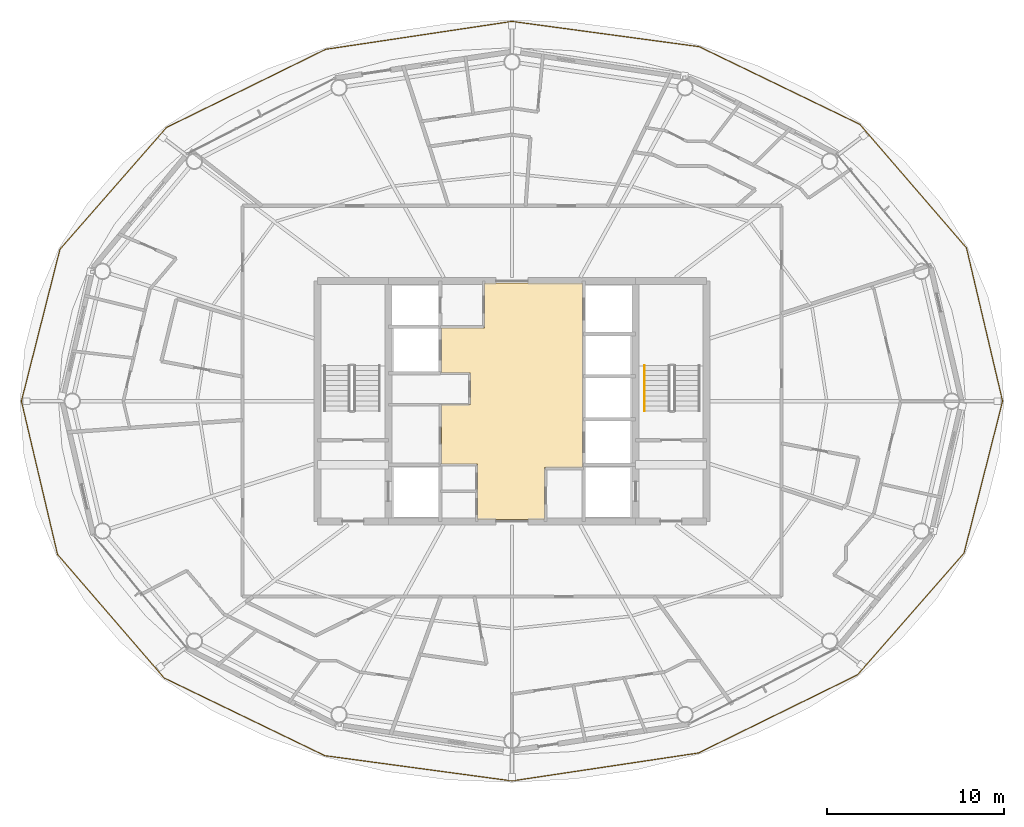
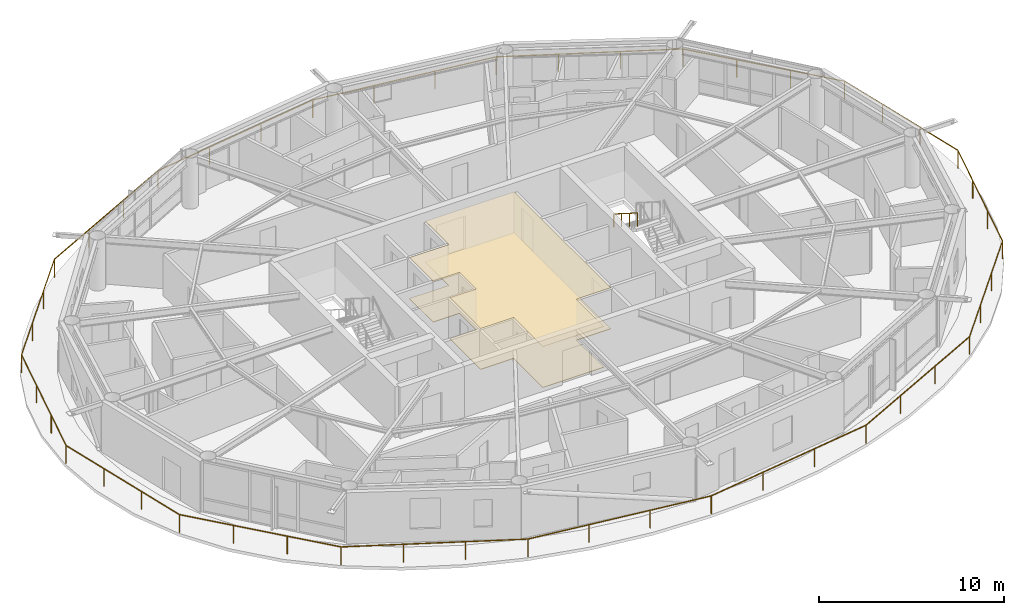
# One storey, part 22 of 23: 2 coverings, 2 railings.
"""IFC4 building model written with IfcOpenShell, lengths in metres."""

from ifc_helpers import new_model, si_unit, direction, frame, origin, origin_2d, place, context, subcontext, project, spatial, polyline, rectangle, outline, extrude, material, layer, layer_set, type_object, element, save


model = new_model("IFC4")

# Units and contexts
model_context = context("Model", 3, precision=1e-05, world=origin(), true_north=direction((0.0, 1.0)))
body_context = subcontext(model_context, "Body", "Model", "MODEL_VIEW")
ifc_project = project(units=[si_unit("LENGTHUNIT", "METRE"), si_unit("AREAUNIT", "SQUARE_METRE"), si_unit("VOLUMEUNIT", "CUBIC_METRE"), si_unit("PLANEANGLEUNIT", "RADIAN"), si_unit("MASSUNIT", "GRAM", prefix="KILO")], contexts=[model_context])

# Site, building, storey
site_placement = place(None, origin())
site = spatial("IfcSite", under=ifc_project, at=site_placement, CompositionType="ELEMENT")
building_placement = place(site_placement, origin())
building = spatial("IfcBuilding", under=site, at=building_placement, Name="Sarneth Arch Tower", CompositionType="ELEMENT")
storey_placement = place(building_placement, frame((0.0, 0.0, 217.199951171875)))
storey = spatial("IfcBuildingStorey", under=building, at=storey_placement, Name="L55", CompositionType="ELEMENT", Elevation=217.199951171875)

# Coverings
ifc_material_1 = material(Name="Perforated acoustic gypsum ceiling board")
ifc_layer_1 = layer(ifc_material_1, 0.02490234375)
ifc_layer_set_1 = layer_set([ifc_layer_1], Name="Perforated acoustic gypsum ceiling board")
covering_type_1 = type_object("IfcCoveringType", Name="COV-CEIL-GYP", PredefinedType="CEILING", material=ifc_layer_set_1)
covering_1_placement = place(storey_placement, frame((0.0, 0.0, 2.68994140625)))
element("IfcCovering", 1, at=covering_1_placement, inside=storey, type_object=covering_type_1, Name="L55 Lift lobby acoustic ceiling", PredefinedType="CEILING", context=body_context, shape_type="SweptSolid", body=[
    extrude(outline(polyline([(49.85009765625, 38.25), (49.85009765625, 35.300048828125), (46.050048828125, 35.300048828125), (46.050048828125, 38.449951171875), (44.0, 38.449951171875), (44.0, 41.800048828125), (45.64990234375, 41.800048828125), (45.64990234375, 43.580078125), (44.0, 43.580078125), (44.0, 46.14990234375), (46.449951171875, 46.14990234375), (46.449951171875, 48.699951171875), (52.0, 48.699951171875), (52.0, 38.25), (49.85009765625, 38.25)])), origin(), (0.0, 0.0, 1.0), 0.030029296875),
])
ifc_material_2 = material(Name="Honed granite stone flooring", Category="masonry")
ifc_layer_2 = layer(ifc_material_2, 0.030029296875)
ifc_layer_set_2 = layer_set([ifc_layer_2], Name="Honed granite stone flooring")
covering_type_2 = type_object("IfcCoveringType", Name="COV-FLR-STONE", PredefinedType="FLOORING", material=ifc_layer_set_2)
covering_2_placement = place(storey_placement, origin())
element("IfcCovering", 2, at=covering_2_placement, inside=storey, type_object=covering_type_2, Name="L55 Lift lobby granite flooring", PredefinedType="FLOORING", context=body_context, shape_type="SweptSolid", body=[
    extrude(outline(polyline([(49.85009765625, 38.25), (49.85009765625, 35.300048828125), (46.050048828125, 35.300048828125), (46.050048828125, 38.449951171875), (44.0, 38.449951171875), (44.0, 41.800048828125), (45.64990234375, 41.800048828125), (45.64990234375, 43.580078125), (44.0, 43.580078125), (44.0, 46.14990234375), (46.449951171875, 46.14990234375), (46.449951171875, 48.699951171875), (52.0, 48.699951171875), (52.0, 38.25), (49.85009765625, 38.25)])), origin(), (0.0, 0.0, 1.0), 0.030029296875),
])

# Railings
ifc_material_3 = material(Name="Laminated structural glass infill with Stainless Steel 316 top rail and posts", Category="steel")
railing_type_1 = type_object("IfcRailingType", Name="RAIL-BALC-1200", PredefinedType="BALUSTRADE", material=ifc_material_3)
railing_1_placement = place(storey_placement, frame((75.76123046875, 42.0, 0.0)))
element("IfcRailing", 3, at=railing_1_placement, inside=storey, type_object=railing_type_1, Name="L55 Helical balcony glass balustrade", PredefinedType="BALUSTRADE", context=body_context, shape_type="SweptSolid", body=[
    extrude(rectangle(XDim=0.048095703125, YDim=0.048095703125, at=origin_2d()), frame((0.0, 0.0, 1.17578125), z_axis=(-0.229379909775, 0.973336969909, 0.0), x_axis=(-0.973336969909, -0.229379909775, 0.0)), (0.0, 0.0, 1.0), 8.90966796875),
    extrude(rectangle(XDim=0.048095703125, YDim=0.048095703125, at=origin_2d()), frame((-2.043701171875, 8.672119140625, 1.17578125), z_axis=(-0.653317036561, 0.757084440297, 0.0), x_axis=(-0.757084440297, -0.653317036561, 0.0)), (0.0, 0.0, 1.0), 9.237060546875),
    extrude(rectangle(XDim=0.048095703125, YDim=0.048095703125, at=origin_2d()), frame((-8.078369140625, 15.665283203125, 1.17578125), z_axis=(-0.900329529862, 0.435208843726, 0.0), x_axis=(-0.435208843726, -0.900329529862, 0.0)), (0.0, 0.0, 1.0), 10.096435546875),
    extrude(rectangle(XDim=0.048095703125, YDim=0.048095703125, at=origin_2d()), frame((-17.16845703125, 20.059326171875, 1.17578125), z_axis=(-0.991008316824, 0.133800283949, 0.0), x_axis=(-0.133800283949, -0.991008316824, 0.0)), (0.0, 0.0, 1.0), 10.68896484375),
    extrude(rectangle(XDim=0.048095703125, YDim=0.048095703125, at=origin_2d()), frame((-27.76123046875, 21.489501953125, 1.17578125), z_axis=(-0.98895733488, -0.148200505352, 0.0), x_axis=(0.148200505352, -0.98895733488, 0.0)), (0.0, 0.0, 1.0), 10.663330078125),
    extrude(rectangle(XDim=0.048095703125, YDim=0.048095703125, at=origin_2d()), frame((-38.306884765625, 19.9091796875, 1.17578125), z_axis=(-0.897612110429, -0.440786228473, 0.0), x_axis=(0.440786228473, -0.897612110429, 0.0)), (0.0, 0.0, 1.0), 10.03076171875),
    extrude(rectangle(XDim=0.048095703125, YDim=0.048095703125, at=origin_2d()), frame((-47.310546875, 15.48779296875, 1.17578125), z_axis=(-0.658502720584, -0.752578346077, 0.0), x_axis=(0.752578346077, -0.658502720584, 0.0)), (0.0, 0.0, 1.0), 9.158203125),
    extrude(rectangle(XDim=0.048095703125, YDim=0.048095703125, at=origin_2d()), frame((-53.34130859375, 8.595458984375, 1.17578125), z_axis=(-0.245960897038, -0.969279751737, 0.0), x_axis=(0.969279751737, -0.245960897038, 0.0)), (0.0, 0.0, 1.0), 8.867919921875),
    extrude(rectangle(XDim=0.048095703125, YDim=0.048095703125, at=origin_2d()), frame((-55.5224609375, 0.0, 1.17578125), z_axis=(0.229379909775, -0.973336969909, 0.0), x_axis=(0.973336969909, 0.229379909775, 0.0)), (0.0, 0.0, 1.0), 8.90966796875),
    extrude(rectangle(XDim=0.048095703125, YDim=0.048095703125, at=origin_2d()), frame((-53.478759765625, -8.672119140625, 1.17578125), z_axis=(0.653317036561, -0.757084440297, 0.0), x_axis=(0.757084440297, 0.653317036561, 0.0)), (0.0, 0.0, 1.0), 9.237060546875),
    extrude(rectangle(XDim=0.048095703125, YDim=0.048095703125, at=origin_2d()), frame((-47.444091796875, -15.665283203125, 1.17578125), z_axis=(0.900329529862, -0.435208843726, 0.0), x_axis=(0.435208843726, 0.900329529862, 0.0)), (0.0, 0.0, 1.0), 10.096435546875),
    extrude(rectangle(XDim=0.048095703125, YDim=0.048095703125, at=origin_2d()), frame((-38.35400390625, -20.059326171875, 1.17578125), z_axis=(0.991008316824, -0.133800283949, 0.0), x_axis=(0.133800283949, 0.991008316824, 0.0)), (0.0, 0.0, 1.0), 10.68896484375),
    extrude(rectangle(XDim=0.048095703125, YDim=0.048095703125, at=origin_2d()), frame((-27.76123046875, -21.489501953125, 1.17578125), z_axis=(0.98895733488, 0.148200505352, 0.0), x_axis=(-0.148200505352, 0.98895733488, 0.0)), (0.0, 0.0, 1.0), 10.663330078125),
    extrude(rectangle(XDim=0.048095703125, YDim=0.048095703125, at=origin_2d()), frame((-17.215576171875, -19.9091796875, 1.17578125), z_axis=(0.897612110429, 0.440786228473, 0.0), x_axis=(-0.440786228473, 0.897612110429, 0.0)), (0.0, 0.0, 1.0), 10.03076171875),
    extrude(rectangle(XDim=0.048095703125, YDim=0.048095703125, at=origin_2d()), frame((-8.2119140625, -15.48779296875, 1.17578125), z_axis=(0.658502720584, 0.752578346077, 0.0), x_axis=(-0.752578346077, 0.658502720584, 0.0)), (0.0, 0.0, 1.0), 9.158203125),
    extrude(rectangle(XDim=0.048095703125, YDim=0.048095703125, at=origin_2d()), frame((-2.18115234375, -8.595458984375, 1.17578125), z_axis=(0.245960897038, 0.969279751737, 0.0), x_axis=(-0.969279751737, 0.245960897038, 0.0)), (0.0, 0.0, 1.0), 8.867919921875),
    extrude(rectangle(XDim=0.0419921875, YDim=0.0419921875, at=origin_2d()), origin(), (0.0, 0.0, 1.0), 1.15185546875),
    extrude(rectangle(XDim=0.0419921875, YDim=0.0419921875, at=origin_2d()), frame((-0.68115234375, 2.890625, 0.0)), (0.0, 0.0, 1.0), 1.15185546875),
    extrude(rectangle(XDim=0.0419921875, YDim=0.0419921875, at=origin_2d()), frame((-1.362548828125, 5.781494140625, 0.0)), (0.0, 0.0, 1.0), 1.15185546875),
    extrude(rectangle(XDim=0.0419921875, YDim=0.0419921875, at=origin_2d()), frame((-2.043701171875, 8.672119140625, 0.0)), (0.0, 0.0, 1.0), 1.15185546875),
    extrude(rectangle(XDim=0.0419921875, YDim=0.0419921875, at=origin_2d()), frame((-4.05517578125, 11.003173828125, 0.0)), (0.0, 0.0, 1.0), 1.15185546875),
    extrude(rectangle(XDim=0.0419921875, YDim=0.0419921875, at=origin_2d()), frame((-6.06689453125, 13.334228515625, 0.0)), (0.0, 0.0, 1.0), 1.15185546875),
    extrude(rectangle(XDim=0.0419921875, YDim=0.0419921875, at=origin_2d()), frame((-8.078369140625, 15.665283203125, 0.0)), (0.0, 0.0, 1.0), 1.15185546875),
    extrude(rectangle(XDim=0.0419921875, YDim=0.0419921875, at=origin_2d()), frame((-11.1083984375, 17.1298828125, 0.0)), (0.0, 0.0, 1.0), 1.15185546875),
    extrude(rectangle(XDim=0.0419921875, YDim=0.0419921875, at=origin_2d()), frame((-14.138427734375, 18.5947265625, 0.0)), (0.0, 0.0, 1.0), 1.15185546875),
    extrude(rectangle(XDim=0.0419921875, YDim=0.0419921875, at=origin_2d()), frame((-17.16845703125, 20.059326171875, 0.0)), (0.0, 0.0, 1.0), 1.15185546875),
    extrude(rectangle(XDim=0.0419921875, YDim=0.0419921875, at=origin_2d()), frame((-20.699462890625, 20.5361328125, 0.0)), (0.0, 0.0, 1.0), 1.15185546875),
    extrude(rectangle(XDim=0.0419921875, YDim=0.0419921875, at=origin_2d()), frame((-24.230224609375, 21.0126953125, 0.0)), (0.0, 0.0, 1.0), 1.15185546875),
    extrude(rectangle(XDim=0.0419921875, YDim=0.0419921875, at=origin_2d()), frame((-27.76123046875, 21.489501953125, 0.0)), (0.0, 0.0, 1.0), 1.15185546875),
    extrude(rectangle(XDim=0.0419921875, YDim=0.0419921875, at=origin_2d()), frame((-31.2763671875, 20.962646484375, 0.0)), (0.0, 0.0, 1.0), 1.15185546875),
    extrude(rectangle(XDim=0.0419921875, YDim=0.0419921875, at=origin_2d()), frame((-34.791748046875, 20.43603515625, 0.0)), (0.0, 0.0, 1.0), 1.15185546875),
    extrude(rectangle(XDim=0.0419921875, YDim=0.0419921875, at=origin_2d()), frame((-38.306884765625, 19.9091796875, 0.0)), (0.0, 0.0, 1.0), 1.15185546875),
    extrude(rectangle(XDim=0.0419921875, YDim=0.0419921875, at=origin_2d()), frame((-41.30810546875, 18.435302734375, 0.0)), (0.0, 0.0, 1.0), 1.15185546875),
    extrude(rectangle(XDim=0.0419921875, YDim=0.0419921875, at=origin_2d()), frame((-44.309326171875, 16.961669921875, 0.0)), (0.0, 0.0, 1.0), 1.15185546875),
    extrude(rectangle(XDim=0.0419921875, YDim=0.0419921875, at=origin_2d()), frame((-47.310546875, 15.48779296875, 0.0)), (0.0, 0.0, 1.0), 1.15185546875),
    extrude(rectangle(XDim=0.0419921875, YDim=0.0419921875, at=origin_2d()), frame((-49.32080078125, 13.1904296875, 0.0)), (0.0, 0.0, 1.0), 1.15185546875),
    extrude(rectangle(XDim=0.0419921875, YDim=0.0419921875, at=origin_2d()), frame((-51.3310546875, 10.892822265625, 0.0)), (0.0, 0.0, 1.0), 1.15185546875),
    extrude(rectangle(XDim=0.0419921875, YDim=0.0419921875, at=origin_2d()), frame((-53.34130859375, 8.595458984375, 0.0)), (0.0, 0.0, 1.0), 1.15185546875),
    extrude(rectangle(XDim=0.0419921875, YDim=0.0419921875, at=origin_2d()), frame((-54.068359375, 5.730224609375, 0.0)), (0.0, 0.0, 1.0), 1.15185546875),
    extrude(rectangle(XDim=0.0419921875, YDim=0.0419921875, at=origin_2d()), frame((-54.79541015625, 2.865234375, 0.0)), (0.0, 0.0, 1.0), 1.15185546875),
    extrude(rectangle(XDim=0.0419921875, YDim=0.0419921875, at=origin_2d()), frame((-55.5224609375, 0.0, 0.0)), (0.0, 0.0, 1.0), 1.15185546875),
    extrude(rectangle(XDim=0.0419921875, YDim=0.0419921875, at=origin_2d()), frame((-54.84130859375, -2.890625, 0.0)), (0.0, 0.0, 1.0), 1.15185546875),
    extrude(rectangle(XDim=0.0419921875, YDim=0.0419921875, at=origin_2d()), frame((-54.159912109375, -5.781494140625, 0.0)), (0.0, 0.0, 1.0), 1.15185546875),
    extrude(rectangle(XDim=0.0419921875, YDim=0.0419921875, at=origin_2d()), frame((-53.478759765625, -8.672119140625, 0.0)), (0.0, 0.0, 1.0), 1.15185546875),
    extrude(rectangle(XDim=0.0419921875, YDim=0.0419921875, at=origin_2d()), frame((-51.46728515625, -11.003173828125, 0.0)), (0.0, 0.0, 1.0), 1.15185546875),
    extrude(rectangle(XDim=0.0419921875, YDim=0.0419921875, at=origin_2d()), frame((-49.45556640625, -13.334228515625, 0.0)), (0.0, 0.0, 1.0), 1.15185546875),
    extrude(rectangle(XDim=0.0419921875, YDim=0.0419921875, at=origin_2d()), frame((-47.444091796875, -15.665283203125, 0.0)), (0.0, 0.0, 1.0), 1.15185546875),
    extrude(rectangle(XDim=0.0419921875, YDim=0.0419921875, at=origin_2d()), frame((-44.4140625, -17.1298828125, 0.0)), (0.0, 0.0, 1.0), 1.15185546875),
    extrude(rectangle(XDim=0.0419921875, YDim=0.0419921875, at=origin_2d()), frame((-41.384033203125, -18.5947265625, 0.0)), (0.0, 0.0, 1.0), 1.15185546875),
    extrude(rectangle(XDim=0.0419921875, YDim=0.0419921875, at=origin_2d()), frame((-38.35400390625, -20.059326171875, 0.0)), (0.0, 0.0, 1.0), 1.15185546875),
    extrude(rectangle(XDim=0.0419921875, YDim=0.0419921875, at=origin_2d()), frame((-34.822998046875, -20.5361328125, 0.0)), (0.0, 0.0, 1.0), 1.15185546875),
    extrude(rectangle(XDim=0.0419921875, YDim=0.0419921875, at=origin_2d()), frame((-31.292236328125, -21.0126953125, 0.0)), (0.0, 0.0, 1.0), 1.15185546875),
    extrude(rectangle(XDim=0.0419921875, YDim=0.0419921875, at=origin_2d()), frame((-27.76123046875, -21.489501953125, 0.0)), (0.0, 0.0, 1.0), 1.15185546875),
    extrude(rectangle(XDim=0.0419921875, YDim=0.0419921875, at=origin_2d()), frame((-24.24609375, -20.962646484375, 0.0)), (0.0, 0.0, 1.0), 1.15185546875),
    extrude(rectangle(XDim=0.0419921875, YDim=0.0419921875, at=origin_2d()), frame((-20.730712890625, -20.43603515625, 0.0)), (0.0, 0.0, 1.0), 1.15185546875),
    extrude(rectangle(XDim=0.0419921875, YDim=0.0419921875, at=origin_2d()), frame((-17.215576171875, -19.9091796875, 0.0)), (0.0, 0.0, 1.0), 1.15185546875),
    extrude(rectangle(XDim=0.0419921875, YDim=0.0419921875, at=origin_2d()), frame((-14.21435546875, -18.435302734375, 0.0)), (0.0, 0.0, 1.0), 1.15185546875),
    extrude(rectangle(XDim=0.0419921875, YDim=0.0419921875, at=origin_2d()), frame((-11.213134765625, -16.961669921875, 0.0)), (0.0, 0.0, 1.0), 1.15185546875),
    extrude(rectangle(XDim=0.0419921875, YDim=0.0419921875, at=origin_2d()), frame((-8.2119140625, -15.48779296875, 0.0)), (0.0, 0.0, 1.0), 1.15185546875),
    extrude(rectangle(XDim=0.0419921875, YDim=0.0419921875, at=origin_2d()), frame((-6.20166015625, -13.1904296875, 0.0)), (0.0, 0.0, 1.0), 1.15185546875),
    extrude(rectangle(XDim=0.0419921875, YDim=0.0419921875, at=origin_2d()), frame((-4.19140625, -10.892822265625, 0.0)), (0.0, 0.0, 1.0), 1.15185546875),
    extrude(rectangle(XDim=0.0419921875, YDim=0.0419921875, at=origin_2d()), frame((-2.18115234375, -8.595458984375, 0.0)), (0.0, 0.0, 1.0), 1.15185546875),
    extrude(rectangle(XDim=0.0419921875, YDim=0.0419921875, at=origin_2d()), frame((-1.4541015625, -5.730224609375, 0.0)), (0.0, 0.0, 1.0), 1.15185546875),
    extrude(rectangle(XDim=0.0419921875, YDim=0.0419921875, at=origin_2d()), frame((-0.72705078125, -2.865234375, 0.0)), (0.0, 0.0, 1.0), 1.15185546875),
])
ifc_material_4 = material(Name="Brushed Stainless Steel 304 tubular handrail", Category="steel")
railing_type_2 = type_object("IfcRailingType", Name="RAIL-HANDRAIL-900", PredefinedType="HANDRAIL", material=ifc_material_4)
railing_2_placement = place(storey_placement, frame((55.5, 44.014892578125, 1.97998046875)))
element("IfcRailing", 4, at=railing_2_placement, inside=storey, type_object=railing_type_2, Name="L55 ST-2 stair handrail 2", PredefinedType="HANDRAIL", context=body_context, shape_type="SweptSolid", body=[
    extrude(rectangle(XDim=0.048095703125, YDim=0.048095703125, at=origin_2d()), frame((0.0, 0.0, 0.8759765625), z_axis=(0.0, -0.845465955043, 0.534029323973), x_axis=(1.0, 0.0, 0.0)), (0.0, 0.0, 1.0), 3.03369140625),
    extrude(rectangle(XDim=0.0419921875, YDim=0.0419921875, at=origin_2d()), origin(), (0.0, 0.0, 1.0), 0.851806640625),
    extrude(rectangle(XDim=0.0419921875, YDim=0.0419921875, at=origin_2d()), frame((0.0, -0.85498046875, 0.5400390625)), (0.0, 0.0, 1.0), 0.851806640625),
    extrude(rectangle(XDim=0.0419921875, YDim=0.0419921875, at=origin_2d()), frame((0.0, -1.7099609375, 1.080078125)), (0.0, 0.0, 1.0), 0.851806640625),
    extrude(rectangle(XDim=0.0419921875, YDim=0.0419921875, at=origin_2d()), frame((0.0, -2.56494140625, 1.6201171875)), (0.0, 0.0, 1.0), 0.851806640625),
])

save(model, "model.ifc")
